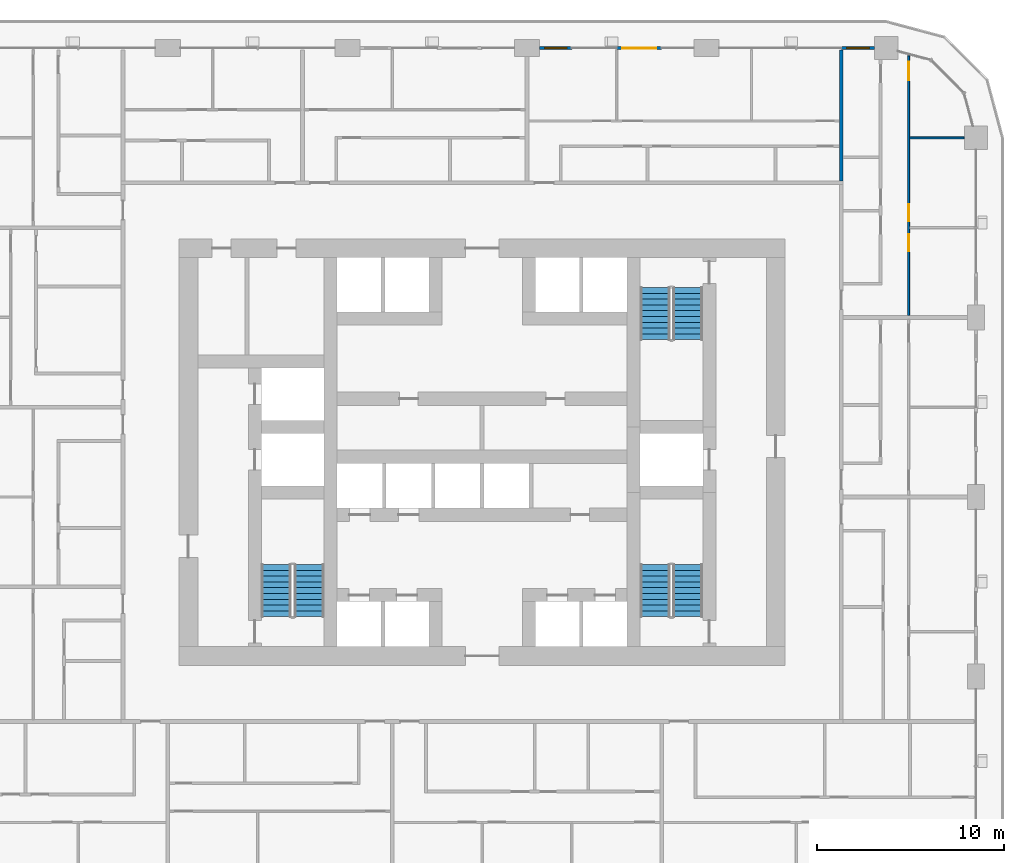
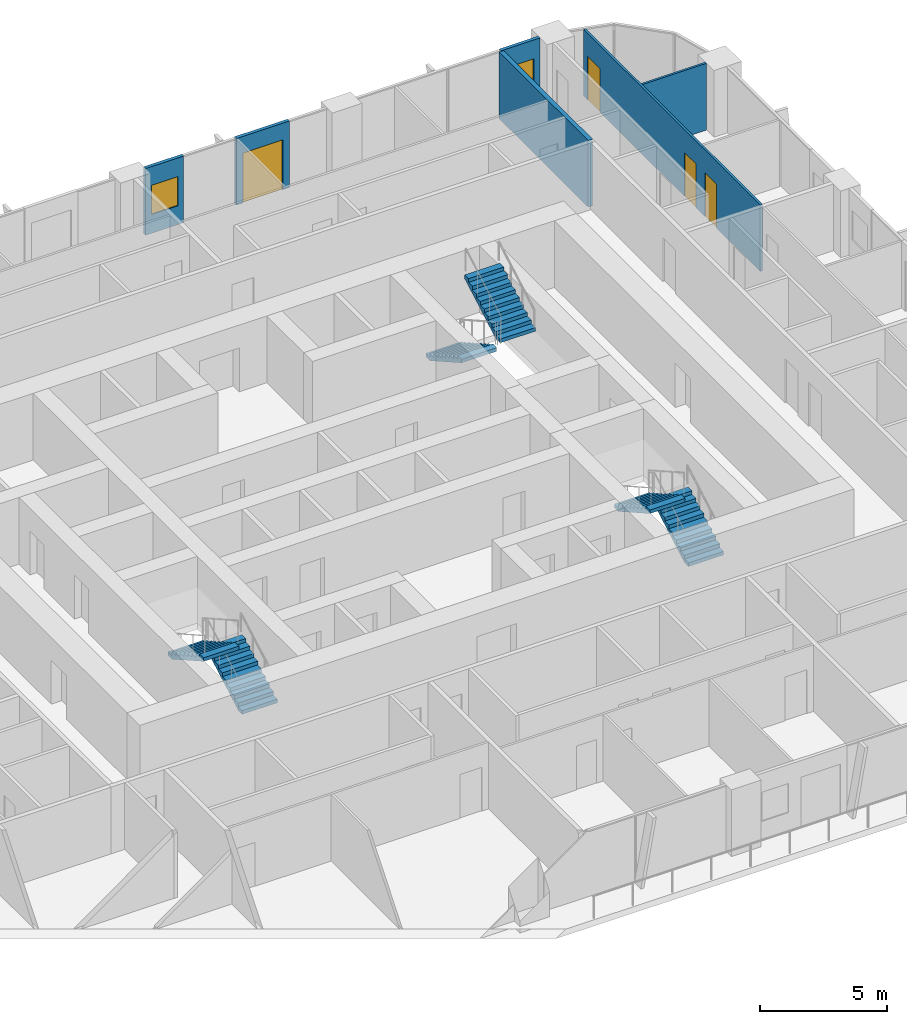
# One storey, part 15 of 21: 6 stair flights, 6 walls, 4 doors, 2 windows, 6 openings, 3 elements without a shape of their own.
"""IFC4 building model written with IfcOpenShell, lengths in metres."""

from ifc_helpers import new_model, si_unit, direction, frame, frame_2d, origin, place, context, subcontext, project, spatial, polyline, rectangle, outline, extrude, material, layer, layer_set, type_object, element, fill, aggregate, save


model = new_model("IFC4")

# Units and contexts
model_context = context("Model", 3, precision=1e-05, world=origin(), true_north=direction((0.0, 1.0)))
body_context = subcontext(model_context, "Body", "Model", "MODEL_VIEW")
ifc_project = project(units=[si_unit("LENGTHUNIT", "METRE"), si_unit("AREAUNIT", "SQUARE_METRE"), si_unit("VOLUMEUNIT", "CUBIC_METRE"), si_unit("PLANEANGLEUNIT", "RADIAN"), si_unit("MASSUNIT", "GRAM", prefix="KILO")], contexts=[model_context])

# Site, building, storey
site_placement = place(None, origin())
site = spatial("IfcSite", under=ifc_project, at=site_placement, CompositionType="ELEMENT")
building_placement = place(site_placement, origin())
building = spatial("IfcBuilding", under=site, at=building_placement, Name="Madar Terraces", CompositionType="ELEMENT")
storey_placement = place(building_placement, frame((0.0, 0.0, 39.89990234375)))
storey = spatial("IfcBuildingStorey", under=building, at=storey_placement, Name="L09", CompositionType="ELEMENT", Elevation=39.89990234375)

# Wall, opening, window
ifc_material_1 = material(Name="Aluminium composite panel, black, over insulated backing", Category="aluminium")
ifc_layer_1 = layer(ifc_material_1, 0.14990234375)
ifc_layer_set_1 = layer_set([ifc_layer_1], Name="Facade bay panel 150")
wall_type_1 = type_object("IfcWallType", Name="Facade bay panel 150", PredefinedType="SOLIDWALL", material=ifc_layer_set_1)
wall_1_placement = place(storey_placement, frame((52.175048828125, 48.0, 0.0), z_axis=(0.0, 0.0, 1.0), x_axis=(-1.0, 0.0, 0.0)))
wall_1 = element("IfcWall", 1, at=wall_1_placement, inside=storey, type_object=wall_type_1, Name="Facade bay panel", PredefinedType="SOLIDWALL", context=body_context, shape_type="SweptSolid", body=[
    extrude(rectangle(XDim=1.775146484375, YDim=0.14990234375, at=frame_2d((0.8876953125, 0.0))), origin(), (0.0, 0.0, 1.0), 3.2001953125),
])
opening_1_placement = place(wall_1_placement, frame((0.28759765625, 0.0, 0.89990234375)))
opening_1 = element("IfcOpeningElement", 2, at=opening_1_placement, cuts=wall_1, Name="Opening W1", PredefinedType="OPENING", context=body_context, shape_type="SweptSolid", body=[
    extrude(rectangle(XDim=1.199951171875, YDim=1.39990234375, at=frame_2d((0.60009765625, 0.699951171875))), frame((0.0, 0.0849609375, 0.0), z_axis=(0.0, -1.0, 0.0), x_axis=(1.0, 0.0, 0.0)), (0.0, 0.0, 1.0), 0.169921875),
])
ifc_material_2 = material(Name="Glass, clear, with black aluminium frame", Category="aluminium")
window_type = type_object("IfcWindowType", Name="Vent window 1200 x 1400", PartitioningType="SINGLE_PANEL", PredefinedType="WINDOW", material=ifc_material_2)
window_1_placement = place(opening_1_placement, origin())
window_1 = element("IfcWindow", 3, at=window_1_placement, inside=storey, type_object=window_type, Name="Operable vent window", OverallHeight=1.39990234375, OverallWidth=1.199951171875, PartitioningType="SINGLE_PANEL", PredefinedType="WINDOW", context=body_context, shape_type="SweptSolid", body=[
    extrude(rectangle(XDim=1.199951171875, YDim=1.39990234375, at=frame_2d((0.60009765625, 0.699951171875))), frame((0.0, 0.030029296875, 0.0), z_axis=(0.0, -1.0, 0.0), x_axis=(1.0, 0.0, 0.0)), (0.0, 0.0, 1.0), 0.06005859375),
])
fill(opening_1, window_1)

# Wall, opening, door
wall_2_placement = place(storey_placement, frame((40.800048828125, 48.0, 0.0), z_axis=(0.0, 0.0, 1.0), x_axis=(-1.0, 0.0, 0.0)))
wall_2 = element("IfcWall", 4, at=wall_2_placement, inside=storey, type_object=wall_type_1, Name="Facade bay panel", PredefinedType="SOLIDWALL", context=body_context, shape_type="SweptSolid", body=[
    extrude(rectangle(XDim=2.400146484375, YDim=0.14990234375, at=frame_2d((1.2001953125, 0.0))), origin(), (0.0, 0.0, 1.0), 3.2001953125),
])
opening_2_placement = place(wall_2_placement, frame((0.300048828125, 0.0, 0.0)))
opening_2 = element("IfcOpeningElement", 5, at=opening_2_placement, cuts=wall_2, Name="Opening ED1", PredefinedType="OPENING", context=body_context, shape_type="SweptSolid", body=[
    extrude(rectangle(XDim=1.800048828125, YDim=2.39990234375, at=frame_2d((0.89990234375, 1.199951171875))), frame((0.0, 0.0849609375, 0.0), z_axis=(0.0, -1.0, 0.0), x_axis=(1.0, 0.0, 0.0)), (0.0, 0.0, 1.0), 0.169921875),
])
ifc_material_3 = material(Name="Glass, clear, with black aluminium frame", Category="aluminium")
door_type_1 = type_object("IfcDoorType", Name="Balcony and terrace sliding door 1800 x 2400", OperationType="SLIDING_TO_LEFT", PredefinedType="DOOR", material=ifc_material_3)
door_1_placement = place(opening_2_placement, origin())
door_1 = element("IfcDoor", 6, at=door_1_placement, inside=storey, type_object=door_type_1, Name="Balcony door", OperationType="SLIDING_TO_RIGHT", OverallHeight=2.39990234375, OverallWidth=1.800048828125, PredefinedType="DOOR", context=body_context, shape_type="SweptSolid", body=[
    extrude(rectangle(XDim=1.800048828125, YDim=2.39990234375, at=frame_2d((0.89990234375, 1.199951171875))), frame((0.0, 0.02490234375, 0.0), z_axis=(0.0, -1.0, 0.0), x_axis=(1.0, 0.0, 0.0)), (0.0, 0.0, 1.0), 0.050048828125),
])
fill(opening_2, door_1)

# Wall, opening, window
wall_3_placement = place(storey_placement, frame((36.0, 48.0, 0.0), z_axis=(0.0, 0.0, 1.0), x_axis=(-1.0, 0.0, 0.0)))
wall_3 = element("IfcWall", 7, at=wall_3_placement, inside=storey, type_object=wall_type_1, Name="Facade bay panel", PredefinedType="SOLIDWALL", context=body_context, shape_type="SweptSolid", body=[
    extrude(rectangle(XDim=1.72509765625, YDim=0.14990234375, at=frame_2d((0.862548828125, 0.0))), origin(), (0.0, 0.0, 1.0), 3.2001953125),
])
opening_3_placement = place(wall_3_placement, frame((0.262451171875, 0.0, 0.89990234375)))
opening_3 = element("IfcOpeningElement", 8, at=opening_3_placement, cuts=wall_3, Name="Opening W1", PredefinedType="OPENING", context=body_context, shape_type="SweptSolid", body=[
    extrude(rectangle(XDim=1.199951171875, YDim=1.39990234375, at=frame_2d((0.60009765625, 0.699951171875))), frame((0.0, 0.0849609375, 0.0), z_axis=(0.0, -1.0, 0.0), x_axis=(1.0, 0.0, 0.0)), (0.0, 0.0, 1.0), 0.169921875),
])
window_2_placement = place(opening_3_placement, origin())
window_2 = element("IfcWindow", 9, at=window_2_placement, inside=storey, type_object=window_type, Name="Operable vent window", OverallHeight=1.39990234375, OverallWidth=1.199951171875, PartitioningType="SINGLE_PANEL", PredefinedType="WINDOW", context=body_context, shape_type="SweptSolid", body=[
    extrude(rectangle(XDim=1.199951171875, YDim=1.39990234375, at=frame_2d((0.60009765625, 0.699951171875))), frame((0.0, 0.030029296875, 0.0), z_axis=(0.0, -1.0, 0.0), x_axis=(1.0, 0.0, 0.0)), (0.0, 0.0, 1.0), 0.06005859375),
])
fill(opening_3, window_2)

# Wall
ifc_material_4 = material(Name="Gypsum board on steel studs", Category="steel")
ifc_layer_2 = layer(ifc_material_4, 0.10009765625)
ifc_layer_set_2 = layer_set([ifc_layer_2], Name="Flat partition 100")
wall_type_2 = type_object("IfcWallType", Name="Flat partition 100", PredefinedType="PARTITIONING", material=ifc_layer_set_2)
wall_4_placement = place(storey_placement, frame((54.050048828125, 43.199951171875, 0.0), z_axis=(0.0, 0.0, 1.0), x_axis=(1.0, 0.0, 0.0)))
element("IfcWall", 10, at=wall_4_placement, inside=storey, type_object=wall_type_2, Name="Flat partition 100", PredefinedType="PARTITIONING", context=body_context, shape_type="SweptSolid", body=[
    extrude(rectangle(XDim=2.925048828125, YDim=0.10009765625, at=frame_2d((1.46240234375, 0.0))), origin(), (0.0, 0.0, 1.0), 3.2001953125),
])

# Wall, openings, doors
wall_5_placement = place(storey_placement, frame((54.0, 47.57861328125, 0.0), z_axis=(0.0, 0.0, 1.0), x_axis=(0.0, -1.0, 0.0)))
wall_5 = element("IfcWall", 11, at=wall_5_placement, inside=storey, type_object=wall_type_2, Name="Flat partition 100", PredefinedType="PARTITIONING", context=body_context, shape_type="SweptSolid", body=[
    extrude(rectangle(XDim=13.878662109375, YDim=0.10009765625, at=frame_2d((6.939453125, 0.0))), origin(), (0.0, 0.0, 1.0), 3.2001953125),
])
opening_4_placement = place(wall_5_placement, frame((9.528564453125, 0.0, 0.0)))
opening_4 = element("IfcOpeningElement", 12, at=opening_4_placement, cuts=wall_5, Name="Opening D2", PredefinedType="OPENING", context=body_context, shape_type="SweptSolid", body=[
    extrude(rectangle(XDim=0.89990234375, YDim=2.10009765625, at=frame_2d((0.449951171875, 1.050048828125))), frame((0.0, 0.06005859375, 0.0), z_axis=(0.0, -1.0, 0.0), x_axis=(1.0, 0.0, 0.0)), (0.0, 0.0, 1.0), 0.1201171875),
])
opening_5_placement = place(wall_5_placement, frame((7.928466796875, 0.0, 0.0)))
opening_5 = element("IfcOpeningElement", 13, at=opening_5_placement, cuts=wall_5, Name="Opening D2", PredefinedType="OPENING", context=body_context, shape_type="SweptSolid", body=[
    extrude(rectangle(XDim=0.89990234375, YDim=2.10009765625, at=frame_2d((0.449951171875, 1.050048828125))), frame((0.0, 0.06005859375, 0.0), z_axis=(0.0, -1.0, 0.0), x_axis=(1.0, 0.0, 0.0)), (0.0, 0.0, 1.0), 0.1201171875),
])
opening_6_placement = place(wall_5_placement, frame((0.300048828125, 0.0, 0.0)))
opening_6 = element("IfcOpeningElement", 14, at=opening_6_placement, cuts=wall_5, Name="Opening D3", PredefinedType="OPENING", context=body_context, shape_type="SweptSolid", body=[
    extrude(rectangle(XDim=1.0, YDim=2.10009765625, at=frame_2d((0.5, 1.050048828125))), frame((0.0, 0.06005859375, 0.0), z_axis=(0.0, -1.0, 0.0), x_axis=(1.0, 0.0, 0.0)), (0.0, 0.0, 1.0), 0.1201171875),
])
ifc_material_5 = material(Name="Timber door leaf", Category="wood")
door_type_2 = type_object("IfcDoorType", Name="Flat living room door 1000", OperationType="NOTDEFINED", PredefinedType="DOOR", material=ifc_material_5)
door_2_placement = place(opening_6_placement, origin())
door_2 = element("IfcDoor", 15, at=door_2_placement, inside=storey, type_object=door_type_2, Name="Flat living room door 1000", OperationType="SINGLE_SWING_LEFT", OverallHeight=2.10009765625, OverallWidth=1.0, PredefinedType="DOOR", context=body_context, shape_type="SweptSolid", body=[
    extrude(rectangle(XDim=1.0, YDim=2.10009765625, at=frame_2d((0.5, 1.050048828125))), frame((0.0, 0.02490234375, 0.0), z_axis=(0.0, -1.0, 0.0), x_axis=(1.0, 0.0, 0.0)), (0.0, 0.0, 1.0), 0.050048828125),
])
fill(opening_6, door_2)
ifc_material_6 = material(Name="Timber door leaf", Category="wood")
door_type_3 = type_object("IfcDoorType", Name="Flat room door 900", OperationType="NOTDEFINED", PredefinedType="DOOR", material=ifc_material_6)
door_3_placement = place(opening_4_placement, origin())
door_3 = element("IfcDoor", 16, at=door_3_placement, inside=storey, type_object=door_type_3, Name="Flat room door 900", OperationType="SINGLE_SWING_LEFT", OverallHeight=2.10009765625, OverallWidth=0.89990234375, PredefinedType="DOOR", context=body_context, shape_type="SweptSolid", body=[
    extrude(rectangle(XDim=0.89990234375, YDim=2.10009765625, at=frame_2d((0.449951171875, 1.050048828125))), frame((0.0, 0.02490234375, 0.0), z_axis=(0.0, -1.0, 0.0), x_axis=(1.0, 0.0, 0.0)), (0.0, 0.0, 1.0), 0.050048828125),
])
fill(opening_4, door_3)
door_4_placement = place(opening_5_placement, origin())
door_4 = element("IfcDoor", 17, at=door_4_placement, inside=storey, type_object=door_type_3, Name="Flat room door 900", OperationType="SINGLE_SWING_RIGHT", OverallHeight=2.10009765625, OverallWidth=0.89990234375, PredefinedType="DOOR", context=body_context, shape_type="SweptSolid", body=[
    extrude(rectangle(XDim=0.89990234375, YDim=2.10009765625, at=frame_2d((0.449951171875, 1.050048828125))), frame((0.0, 0.02490234375, 0.0), z_axis=(0.0, -1.0, 0.0), x_axis=(1.0, 0.0, 0.0)), (0.0, 0.0, 1.0), 0.050048828125),
])
fill(opening_5, door_4)

# Wall
ifc_material_7 = material(Name="Lightweight blockwork", Category="masonry")
ifc_layer_3 = layer(ifc_material_7, 0.199951171875)
ifc_layer_set_3 = layer_set([ifc_layer_3], Name="Flat party and entrance wall 200")
wall_type_3 = type_object("IfcWallType", Name="Flat party and entrance wall 200", PredefinedType="PARTITIONING", material=ifc_layer_set_3)
wall_6_placement = place(storey_placement, frame((50.39990234375, 40.89990234375, 0.0), z_axis=(0.0, 0.0, 1.0), x_axis=(0.0, 1.0, 0.0)))
element("IfcWall", 18, at=wall_6_placement, inside=storey, type_object=wall_type_3, Name="Flat party and entrance wall 200", PredefinedType="PARTITIONING", context=body_context, shape_type="SweptSolid", body=[
    extrude(rectangle(XDim=7.0, YDim=0.199951171875, at=frame_2d((3.5, 0.0))), origin(), (0.0, 0.0, 1.0), 3.2001953125),
])

# Stair, stair flights
ifc_material_8 = material(Name="Concrete C50/60", Category="concrete")
stair_type_1 = type_object("IfcStairType", Name="Stair ST1 protected exit", PredefinedType="HALF_TURN_STAIR", material=ifc_material_8)
stair_1_placement = place(storey_placement, origin())
stair_1 = element("IfcStair", 19, at=stair_1_placement, inside=storey, type_object=stair_type_1, Name="L09 Protected Exit Stair ST1", PredefinedType="HALF_TURN_STAIR")
ifc_material_9 = material(Name="Concrete C50/60", Category="concrete")
stair_flight_type_1 = type_object("IfcStairFlightType", Name="Stair flight ST1-F4, 1600 wide, 10 risers", PredefinedType="STRAIGHT", material=ifc_material_9)
stair_flight_1_placement = place(storey_placement, frame((21.949951171875, 17.60009765625, 0.0), z_axis=(0.0, 0.0, 1.0), x_axis=(0.0, 1.0, 0.0)))
stair_flight_1 = element("IfcStairFlight", 20, at=stair_flight_1_placement, type_object=stair_flight_type_1, Name="ST1 flight 1", NumberOfRisers=10, NumberOfTreads=9, PredefinedType="STRAIGHT", RiserHeight=0.175, TreadLength=0.31, context=body_context, shape_type="SweptSolid", body=[
    extrude(outline(polyline([(0.0, 0.0), (0.0, 0.175048828125), (0.31005859375, 0.175048828125), (0.31005859375, 0.35009765625), (0.6201171875, 0.35009765625), (0.6201171875, 0.52490234375), (0.929931640625, 0.52490234375), (0.929931640625, 0.699951171875), (1.239990234375, 0.699951171875), (1.239990234375, 0.875), (1.550048828125, 0.875), (1.550048828125, 1.050048828125), (1.860107421875, 1.050048828125), (1.860107421875, 1.22509765625), (2.169921875, 1.22509765625), (2.169921875, 1.39990234375), (2.47998046875, 1.39990234375), (2.47998046875, 1.574951171875), (2.7900390625, 1.574951171875), (2.7900390625, 1.75), (2.7900390625, 1.40283203125), (0.304931640625, 0.0), (0.0, 0.0)])), frame((0.0, 0.800048828125, 0.0), z_axis=(0.0, -1.0, 0.0), x_axis=(1.0, 0.0, 0.0)), (0.0, 0.0, 1.0), 1.60009765625),
])
stair_flight_2_placement = place(storey_placement, frame((20.199951171875, 20.389892578125, 1.75), z_axis=(0.0, 0.0, 1.0), x_axis=(0.0, -1.0, 0.0)))
stair_flight_2 = element("IfcStairFlight", 21, at=stair_flight_2_placement, type_object=stair_flight_type_1, Name="ST1 flight 2", NumberOfRisers=10, NumberOfTreads=9, PredefinedType="STRAIGHT", RiserHeight=0.175, TreadLength=0.31, context=body_context, shape_type="SweptSolid", body=[
    extrude(outline(polyline([(0.0, 0.0), (0.0, 0.175048828125), (0.31005859375, 0.175048828125), (0.31005859375, 0.35009765625), (0.6201171875, 0.35009765625), (0.6201171875, 0.52490234375), (0.929931640625, 0.52490234375), (0.929931640625, 0.699951171875), (1.239990234375, 0.699951171875), (1.239990234375, 0.875), (1.550048828125, 0.875), (1.550048828125, 1.050048828125), (1.860107421875, 1.050048828125), (1.860107421875, 1.22509765625), (2.169921875, 1.22509765625), (2.169921875, 1.39990234375), (2.47998046875, 1.39990234375), (2.47998046875, 1.574951171875), (2.7900390625, 1.574951171875), (2.7900390625, 1.75), (2.7900390625, 1.40283203125), (0.304931640625, 0.0), (0.0, 0.0)])), frame((0.0, 0.800048828125, 0.0), z_axis=(0.0, -1.0, 0.0), x_axis=(1.0, 0.0, 0.0)), (0.0, 0.0, 1.0), 1.60009765625),
])
aggregate(stair_1, [stair_flight_1, stair_flight_2])

ifc_material_10 = material(Name="Concrete C50/60", Category="concrete")
stair_type_2 = type_object("IfcStairType", Name="Stair ST2 protected exit", PredefinedType="HALF_TURN_STAIR", material=ifc_material_10)
stair_2_placement = place(storey_placement, origin())
stair_2 = element("IfcStair", 22, at=stair_2_placement, inside=storey, type_object=stair_type_2, Name="L09 Protected Exit Stair ST2", PredefinedType="HALF_TURN_STAIR")
ifc_material_11 = material(Name="Concrete C50/60", Category="concrete")
stair_flight_type_2 = type_object("IfcStairFlightType", Name="Stair flight ST2-F4, 1600 wide, 10 risers", PredefinedType="STRAIGHT", material=ifc_material_11)
stair_flight_3_placement = place(storey_placement, frame((40.449951171875, 35.199951171875, 0.0), z_axis=(0.0, 0.0, 1.0), x_axis=(0.0, -1.0, 0.0)))
stair_flight_3 = element("IfcStairFlight", 23, at=stair_flight_3_placement, type_object=stair_flight_type_2, Name="ST2 flight 1", NumberOfRisers=10, NumberOfTreads=9, PredefinedType="STRAIGHT", RiserHeight=0.175, TreadLength=0.31, context=body_context, shape_type="SweptSolid", body=[
    extrude(outline(polyline([(0.0, 0.0), (0.0, 0.175048828125), (0.31005859375, 0.175048828125), (0.31005859375, 0.35009765625), (0.6201171875, 0.35009765625), (0.6201171875, 0.52490234375), (0.929931640625, 0.52490234375), (0.929931640625, 0.699951171875), (1.239990234375, 0.699951171875), (1.239990234375, 0.875), (1.550048828125, 0.875), (1.550048828125, 1.050048828125), (1.860107421875, 1.050048828125), (1.860107421875, 1.22509765625), (2.169921875, 1.22509765625), (2.169921875, 1.39990234375), (2.47998046875, 1.39990234375), (2.47998046875, 1.574951171875), (2.7900390625, 1.574951171875), (2.7900390625, 1.75), (2.7900390625, 1.40283203125), (0.304931640625, 0.0), (0.0, 0.0)])), frame((0.0, 0.800048828125, 0.0), z_axis=(0.0, -1.0, 0.0), x_axis=(1.0, 0.0, 0.0)), (0.0, 0.0, 1.0), 1.60009765625),
])
stair_flight_4_placement = place(storey_placement, frame((42.199951171875, 32.409912109375, 1.75), z_axis=(0.0, 0.0, 1.0), x_axis=(0.0, 1.0, 0.0)))
stair_flight_4 = element("IfcStairFlight", 24, at=stair_flight_4_placement, type_object=stair_flight_type_2, Name="ST2 flight 2", NumberOfRisers=10, NumberOfTreads=9, PredefinedType="STRAIGHT", RiserHeight=0.175, TreadLength=0.31, context=body_context, shape_type="SweptSolid", body=[
    extrude(outline(polyline([(0.0, 0.0), (0.0, 0.175048828125), (0.31005859375, 0.175048828125), (0.31005859375, 0.35009765625), (0.6201171875, 0.35009765625), (0.6201171875, 0.52490234375), (0.929931640625, 0.52490234375), (0.929931640625, 0.699951171875), (1.239990234375, 0.699951171875), (1.239990234375, 0.875), (1.550048828125, 0.875), (1.550048828125, 1.050048828125), (1.860107421875, 1.050048828125), (1.860107421875, 1.22509765625), (2.169921875, 1.22509765625), (2.169921875, 1.39990234375), (2.47998046875, 1.39990234375), (2.47998046875, 1.574951171875), (2.7900390625, 1.574951171875), (2.7900390625, 1.75), (2.7900390625, 1.40283203125), (0.304931640625, 0.0), (0.0, 0.0)])), frame((0.0, 0.800048828125, 0.0), z_axis=(0.0, -1.0, 0.0), x_axis=(1.0, 0.0, 0.0)), (0.0, 0.0, 1.0), 1.60009765625),
])
aggregate(stair_2, [stair_flight_3, stair_flight_4])

ifc_material_12 = material(Name="Concrete C50/60", Category="concrete")
stair_type_3 = type_object("IfcStairType", Name="Stair ST3 protected exit", PredefinedType="HALF_TURN_STAIR", material=ifc_material_12)
stair_3_placement = place(storey_placement, origin())
stair_3 = element("IfcStair", 25, at=stair_3_placement, inside=storey, type_object=stair_type_3, Name="L09 Protected Exit Stair ST3", PredefinedType="HALF_TURN_STAIR")
ifc_material_13 = material(Name="Concrete C50/60", Category="concrete")
stair_flight_type_3 = type_object("IfcStairFlightType", Name="Stair flight ST3-F4, 1600 wide, 10 risers", PredefinedType="STRAIGHT", material=ifc_material_13)
stair_flight_5_placement = place(storey_placement, frame((42.199951171875, 17.60009765625, 0.0), z_axis=(0.0, 0.0, 1.0), x_axis=(0.0, 1.0, 0.0)))
stair_flight_5 = element("IfcStairFlight", 26, at=stair_flight_5_placement, type_object=stair_flight_type_3, Name="ST3 flight 1", NumberOfRisers=10, NumberOfTreads=9, PredefinedType="STRAIGHT", RiserHeight=0.175, TreadLength=0.31, context=body_context, shape_type="SweptSolid", body=[
    extrude(outline(polyline([(0.0, 0.0), (0.0, 0.175048828125), (0.31005859375, 0.175048828125), (0.31005859375, 0.35009765625), (0.6201171875, 0.35009765625), (0.6201171875, 0.52490234375), (0.929931640625, 0.52490234375), (0.929931640625, 0.699951171875), (1.239990234375, 0.699951171875), (1.239990234375, 0.875), (1.550048828125, 0.875), (1.550048828125, 1.050048828125), (1.860107421875, 1.050048828125), (1.860107421875, 1.22509765625), (2.169921875, 1.22509765625), (2.169921875, 1.39990234375), (2.47998046875, 1.39990234375), (2.47998046875, 1.574951171875), (2.7900390625, 1.574951171875), (2.7900390625, 1.75), (2.7900390625, 1.40283203125), (0.304931640625, 0.0), (0.0, 0.0)])), frame((0.0, 0.800048828125, 0.0), z_axis=(0.0, -1.0, 0.0), x_axis=(1.0, 0.0, 0.0)), (0.0, 0.0, 1.0), 1.60009765625),
])
stair_flight_6_placement = place(storey_placement, frame((40.449951171875, 20.389892578125, 1.75), z_axis=(0.0, 0.0, 1.0), x_axis=(0.0, -1.0, 0.0)))
stair_flight_6 = element("IfcStairFlight", 27, at=stair_flight_6_placement, type_object=stair_flight_type_3, Name="ST3 flight 2", NumberOfRisers=10, NumberOfTreads=9, PredefinedType="STRAIGHT", RiserHeight=0.175, TreadLength=0.31, context=body_context, shape_type="SweptSolid", body=[
    extrude(outline(polyline([(0.0, 0.0), (0.0, 0.175048828125), (0.31005859375, 0.175048828125), (0.31005859375, 0.35009765625), (0.6201171875, 0.35009765625), (0.6201171875, 0.52490234375), (0.929931640625, 0.52490234375), (0.929931640625, 0.699951171875), (1.239990234375, 0.699951171875), (1.239990234375, 0.875), (1.550048828125, 0.875), (1.550048828125, 1.050048828125), (1.860107421875, 1.050048828125), (1.860107421875, 1.22509765625), (2.169921875, 1.22509765625), (2.169921875, 1.39990234375), (2.47998046875, 1.39990234375), (2.47998046875, 1.574951171875), (2.7900390625, 1.574951171875), (2.7900390625, 1.75), (2.7900390625, 1.40283203125), (0.304931640625, 0.0), (0.0, 0.0)])), frame((0.0, 0.800048828125, 0.0), z_axis=(0.0, -1.0, 0.0), x_axis=(1.0, 0.0, 0.0)), (0.0, 0.0, 1.0), 1.60009765625),
])
aggregate(stair_3, [stair_flight_5, stair_flight_6])

save(model, "model.ifc")
